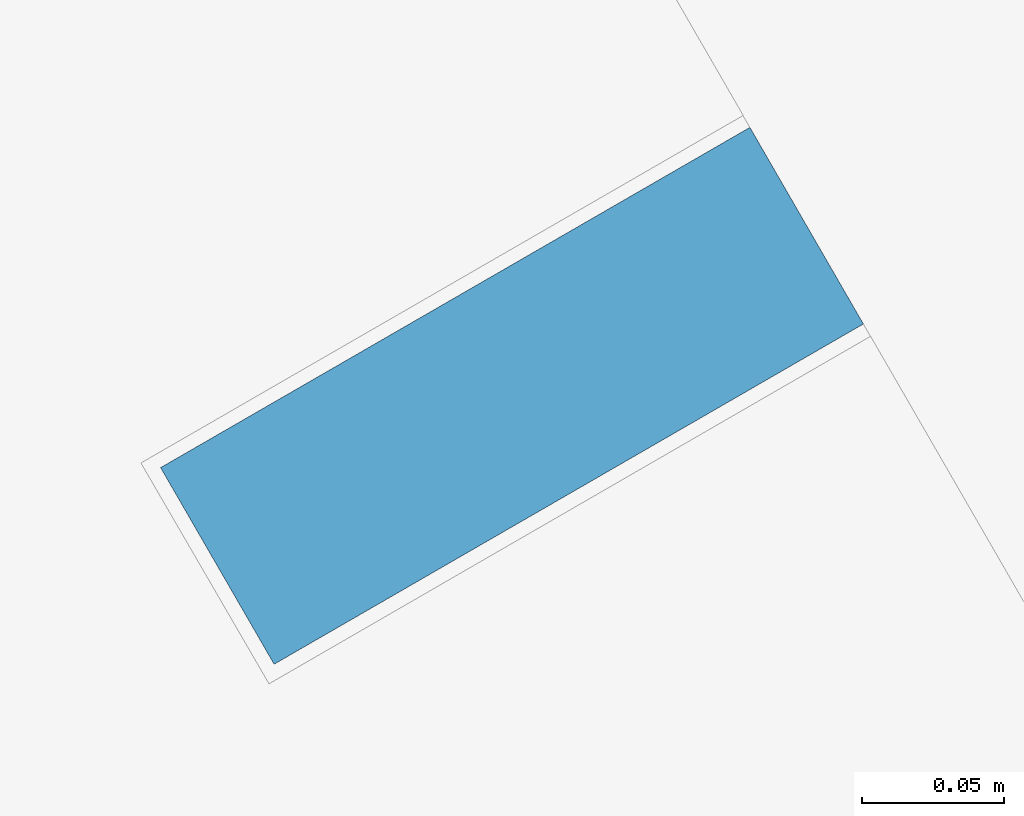
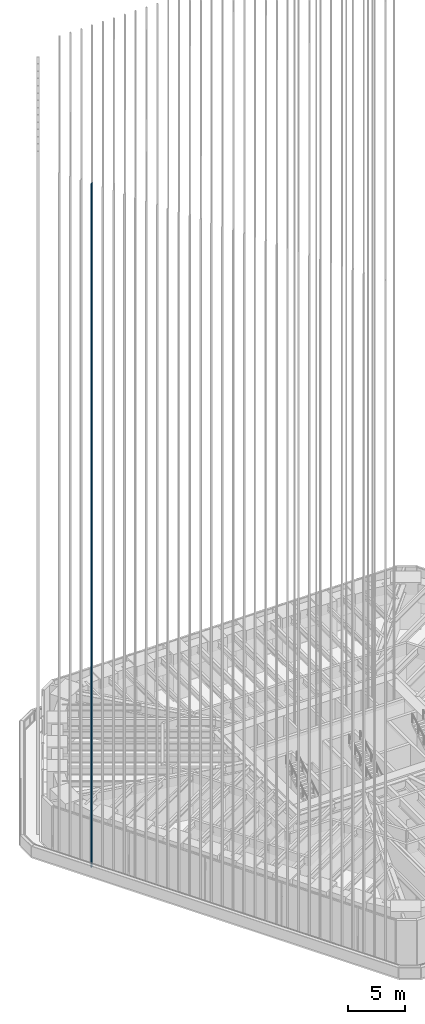
# One storey, part 63 of 228: 1 member, 1 element without a shape of its own.
"""IFC4 building model written with IfcOpenShell, lengths in metres."""

from ifc_helpers import new_model, si_unit, direction, frame, origin, origin_2d, place, context, subcontext, project, spatial, rectangle, extrude, material, material_profile, profile_set, type_object, element, aggregate, save


model = new_model("IFC4")

# Units and contexts
model_context = context("Model", 3, precision=1e-05, world=origin(), true_north=direction((0.0, 1.0)))
body_context = subcontext(model_context, "Body", "Model", "MODEL_VIEW")
ifc_project = project(units=[si_unit("LENGTHUNIT", "METRE"), si_unit("AREAUNIT", "SQUARE_METRE"), si_unit("VOLUMEUNIT", "CUBIC_METRE"), si_unit("PLANEANGLEUNIT", "RADIAN"), si_unit("MASSUNIT", "GRAM", prefix="KILO")], contexts=[model_context])

# Site, building, storey
site_placement = place(None, origin())
site = spatial("IfcSite", under=ifc_project, at=site_placement, CompositionType="ELEMENT")
building_placement = place(site_placement, origin())
building = spatial("IfcBuilding", under=site, at=building_placement, Name="Sandreach Pilgrim Tower", CompositionType="ELEMENT")
storey_placement = place(building_placement, frame((0.0, 0.0, 178.199951171875)))
storey = spatial("IfcBuildingStorey", under=building, at=storey_placement, Name="L44", CompositionType="ELEMENT", Elevation=178.199951171875)

# Curtain wall, member
ifc_material_1 = material(Name="Aluminium framed curtain wall", Category="aluminium")
curtain_wall_type = type_object("IfcCurtainWallType", Name="Upper hotel tower curtain wall", PredefinedType="NOTDEFINED", material=ifc_material_1)
curtain_wall_placement = place(storey_placement, origin())
curtain_wall = element("IfcCurtainWall", 1, at=curtain_wall_placement, inside=storey, type_object=curtain_wall_type, Name="CW-3 L44 SW", PredefinedType="NOTDEFINED")
ifc_material_2 = material(Name="Extruded terracotta on aluminium core", Category="masonry")
ifc_material_profile = material_profile(ifc_material_2, rectangle(XDim=0.080078125, YDim=0.239990234375, at=origin_2d()), Name="TBW 80X240")
ifc_profile_set = profile_set([ifc_material_profile], Name="Extruded terracotta on aluminium core")
member_type = type_object("IfcMemberType", Name="Terracotta baguette west", PredefinedType="USERDEFINED", material=ifc_profile_set)
member_placement = place(storey_placement, frame((-25.301025390625, 0.66259765625, 0.0), z_axis=(0.0, 0.0, 1.0), x_axis=(-0.5, 0.866025403784, 0.0)))
member = element("IfcMember", 2, at=member_placement, type_object=member_type, Name="Baguette Z3 SW28", ObjectType="BAGUETTE", PredefinedType="USERDEFINED", context=body_context, shape_type="SweptSolid", body=[
    extrude(rectangle(XDim=0.080078125, YDim=0.239990234375, at=origin_2d()), origin(), (0.0, 0.0, 1.0), 73.239990234375),
])
aggregate(curtain_wall, [member])

save(model, "model.ifc")
